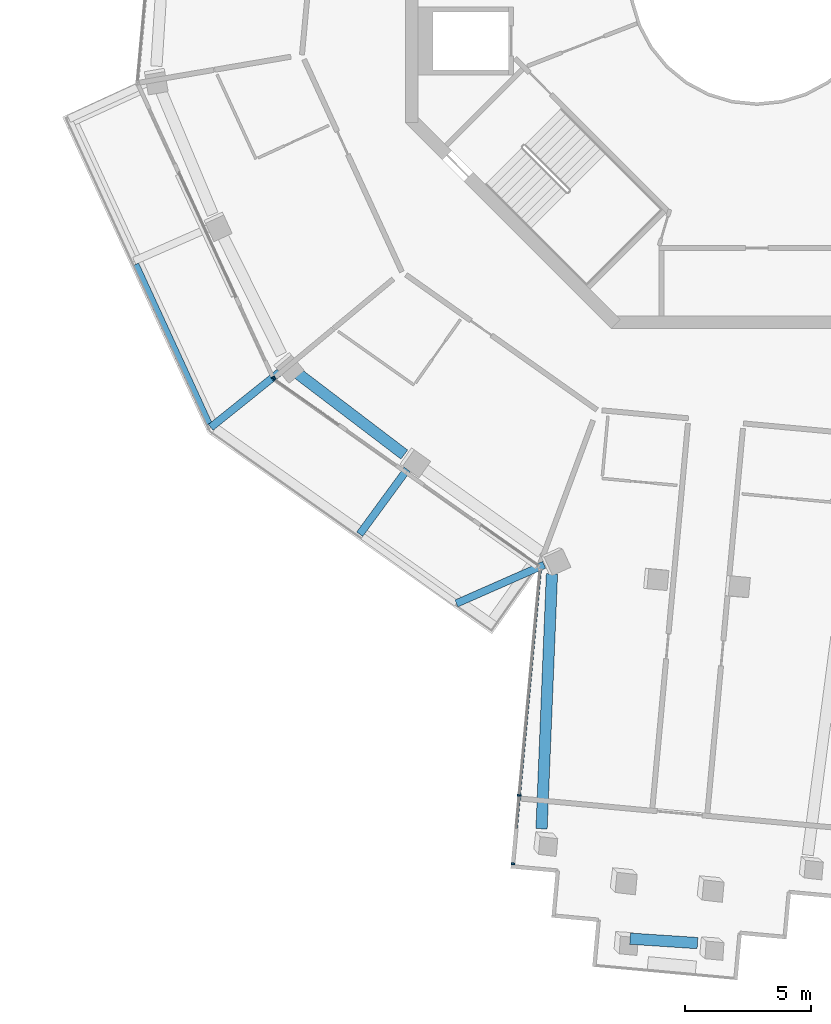
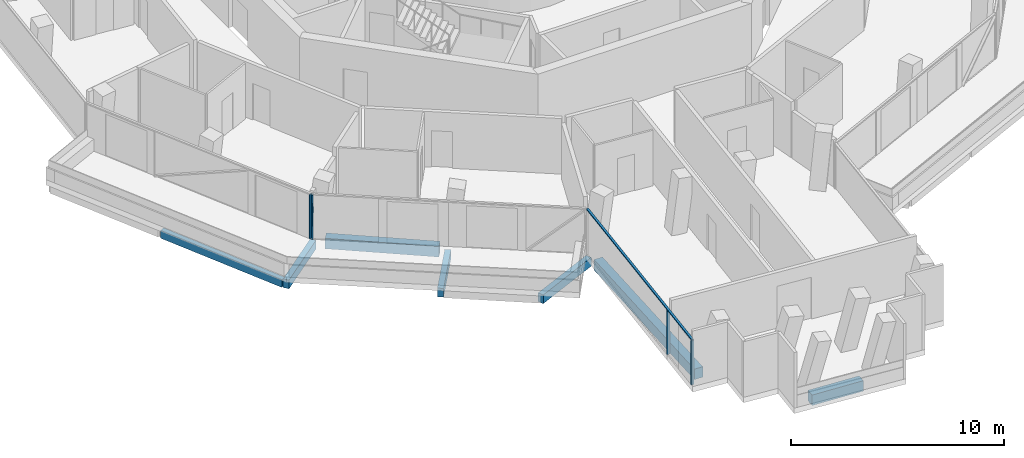
# One storey, part 2 of 23: 7 beams, 5 members, 3 elements without a shape of their own.
"""IFC4 building model written with IfcOpenShell, lengths in metres."""

from ifc_helpers import new_model, si_unit, direction, frame, origin, origin_2d, place, context, subcontext, project, spatial, rectangle, extrude, material, layer, layer_set, material_profile, profile_set, type_object, element, aggregate, save


model = new_model("IFC4")

# Units and contexts
model_context = context("Model", 3, precision=1e-05, world=origin(), true_north=direction((0.0, 1.0)))
body_context = subcontext(model_context, "Body", "Model", "MODEL_VIEW")
ifc_project = project(units=[si_unit("LENGTHUNIT", "METRE"), si_unit("AREAUNIT", "SQUARE_METRE"), si_unit("VOLUMEUNIT", "CUBIC_METRE"), si_unit("PLANEANGLEUNIT", "RADIAN"), si_unit("MASSUNIT", "GRAM", prefix="KILO")], contexts=[model_context])

# Site, building, storey
site_placement = place(None, origin())
site = spatial("IfcSite", under=ifc_project, at=site_placement, CompositionType="ELEMENT")
building_placement = place(site_placement, origin())
building = spatial("IfcBuilding", under=site, at=building_placement, Name="Verdalira Terraces Hotel", CompositionType="ELEMENT")
storey_placement = place(building_placement, frame((0.0, 0.0, 256.0)))
storey = spatial("IfcBuildingStorey", under=building, at=storey_placement, Name="L63", CompositionType="ELEMENT", Elevation=256.0)

# Beams
ifc_material_1 = material(Name="Concrete C40", Category="concrete")
ifc_material_profile_1 = material_profile(ifc_material_1, rectangle(XDim=0.300049, YDim=0.5, at=origin_2d()), Name="RC 300X500")
ifc_profile_set_1 = profile_set([ifc_material_profile_1], Name="Concrete C40")
beam_type_1 = type_object("IfcBeamType", Name="Balcony cantilever beam RC 300X500 C40", PredefinedType="BEAM", material=ifc_profile_set_1)
beam_1_placement = place(storey_placement, frame((-13.929443, -19.615234, -0.560059), z_axis=(-0.591115638, -0.806586823, 0.0), x_axis=(0.806586823, -0.591115638, 0.0)))
element("IfcBeam", 1, at=beam_1_placement, inside=storey, type_object=beam_type_1, Name="Balcony cantilever beam R12-1", PredefinedType="BEAM", context=body_context, shape_type="SweptSolid", body=[
    extrude(rectangle(XDim=0.300049, YDim=0.5, at=origin_2d()), origin(), (0.0, 0.0, 1.0), 3.200928),
])
beam_2_placement = place(storey_placement, frame((-8.47583, -23.416504, -0.560059), z_axis=(-0.915239623, -0.402909957, 0.0), x_axis=(0.402909957, -0.915239623, 0.0)))
element("IfcBeam", 2, at=beam_2_placement, inside=storey, type_object=beam_type_1, Name="Balcony cantilever beam R12-2", PredefinedType="BEAM", context=body_context, shape_type="SweptSolid", body=[
    extrude(rectangle(XDim=0.300049, YDim=0.5, at=origin_2d()), origin(), (0.0, 0.0, 1.0), 3.819824),
])
beam_3_placement = place(storey_placement, frame((-19.014893, -15.742188, -0.560059), z_axis=(-0.779796622, -0.626032929, 0.0), x_axis=(0.626032929, -0.779796622, 0.0)))
element("IfcBeam", 3, at=beam_3_placement, inside=storey, type_object=beam_type_1, Name="Balcony cantilever beam R12-5", PredefinedType="BEAM", context=body_context, shape_type="SweptSolid", body=[
    extrude(rectangle(XDim=0.300049, YDim=0.5, at=origin_2d()), origin(), (0.0, 0.0, 1.0), 3.513672),
])
ifc_material_2 = material(Name="Concrete C40", Category="concrete")
ifc_material_profile_2 = material_profile(ifc_material_2, rectangle(XDim=0.25, YDim=0.449951, at=origin_2d()), Name="RC 250X450")
ifc_profile_set_2 = profile_set([ifc_material_profile_2], Name="Concrete C40")
beam_type_2 = type_object("IfcBeamType", Name="Balcony edge beam RC 250X450 C40", PredefinedType="BEAM", material=ifc_profile_set_2)
beam_4_placement = place(storey_placement, frame((-24.737793, -11.448486, -0.534912), z_axis=(0.417440945, -0.908704054, 0.0), x_axis=(0.908704054, 0.417440945, 0.0)))
element("IfcBeam", 4, at=beam_4_placement, inside=storey, type_object=beam_type_2, Name="Balcony edge beam R12-3", PredefinedType="BEAM", context=body_context, shape_type="SweptSolid", body=[
    extrude(rectangle(XDim=0.25, YDim=0.449951, at=origin_2d()), origin(), (0.0, 0.0, 1.0), 6.991211),
])

# Curtain wall, member
ifc_material_3 = material(Name="Clear glass", Category="glass")
ifc_layer_1 = layer(ifc_material_3, 0.14990234375)
ifc_layer_set_1 = layer_set([ifc_layer_1], Name="CW1 curtain wall")
curtain_wall_type_1 = type_object("IfcCurtainWallType", Name="CW1 curtain wall", PredefinedType="NOTDEFINED", material=ifc_layer_set_1)
curtain_wall_1_placement = place(storey_placement, origin())
curtain_wall_1 = element("IfcCurtainWall", 5, at=curtain_wall_1_placement, inside=storey, type_object=curtain_wall_type_1, Name="CW1 curtain wall L63 edge 12", PredefinedType="NOTDEFINED")
ifc_material_4 = material(Name="Terracotta frame", Category="masonry")
ifc_material_profile_3 = material_profile(ifc_material_4, rectangle(XDim=0.060059, YDim=0.149902, at=origin_2d()), Name="MU 60x150")
ifc_profile_set_3 = profile_set([ifc_material_profile_3], Name="Terracotta frame")
member_type_1 = type_object("IfcMemberType", Name="CW1 mullion 60x150", PredefinedType="MULLION", material=ifc_profile_set_3)
member_1_placement = place(storey_placement, frame((-19.27832, -15.953613, 0.0), z_axis=(0.0, 0.0, 1.0), x_axis=(0.418184178, -0.908362259, 0.0)))
member_1 = element("IfcMember", 6, at=member_1_placement, type_object=member_type_1, Name="CW1 mullion", PredefinedType="MULLION", context=body_context, shape_type="SweptSolid", body=[
    extrude(rectangle(XDim=0.060059, YDim=0.149902, at=origin_2d()), origin(), (0.0, 0.0, 1.0), 2.524902),
])
aggregate(curtain_wall_1, [member_1])

curtain_wall_2_placement = place(storey_placement, origin())
curtain_wall_2 = element("IfcCurtainWall", 7, at=curtain_wall_2_placement, inside=storey, type_object=curtain_wall_type_1, Name="CW1 curtain wall L63 edge 13", PredefinedType="NOTDEFINED")
member_2_placement = place(storey_placement, frame((-19.216553, -16.028076, 0.0), z_axis=(0.0, 0.0, 1.0), x_axis=(0.816339251, -0.577572703, 0.0)))
member_2 = element("IfcMember", 8, at=member_2_placement, type_object=member_type_1, Name="CW1 mullion", PredefinedType="MULLION", context=body_context, shape_type="SweptSolid", body=[
    extrude(rectangle(XDim=0.060059, YDim=0.149902, at=origin_2d()), origin(), (0.0, 0.0, 1.0), 2.524902),
])
aggregate(curtain_wall_2, [member_2])

# Curtain wall, members
ifc_material_5 = material(Name="Clear glass", Category="glass")
ifc_layer_2 = layer(ifc_material_5, 0.14990234375)
ifc_layer_set_2 = layer_set([ifc_layer_2], Name="CW2 curtain wall")
curtain_wall_type_2 = type_object("IfcCurtainWallType", Name="CW2 curtain wall", PredefinedType="NOTDEFINED", material=ifc_layer_set_2)
curtain_wall_3_placement = place(storey_placement, origin())
curtain_wall_3 = element("IfcCurtainWall", 9, at=curtain_wall_3_placement, inside=storey, type_object=curtain_wall_type_2, Name="CW2 curtain wall L63 edge 14", PredefinedType="NOTDEFINED")
ifc_material_6 = material(Name="Terracotta frame", Category="masonry")
ifc_material_profile_4 = material_profile(ifc_material_6, rectangle(XDim=0.070068, YDim=0.149902, at=origin_2d()), Name="MU 70x150")
ifc_profile_set_4 = profile_set([ifc_material_profile_4], Name="Terracotta frame")
member_type_2 = type_object("IfcMemberType", Name="CW2 mullion 70x150", PredefinedType="MULLION", material=ifc_profile_set_4)
member_3_placement = place(storey_placement, frame((-9.465332, -32.601318, 0.0), z_axis=(0.0, 0.0, 1.0), x_axis=(-0.092023008, -0.995756881, 0.0)))
member_3 = element("IfcMember", 10, at=member_3_placement, type_object=member_type_2, Name="CW2 mullion", PredefinedType="MULLION", context=body_context, shape_type="SweptSolid", body=[
    extrude(rectangle(XDim=0.070068, YDim=0.149902, at=origin_2d()), origin(), (0.0, 0.0, 1.0), 2.524902),
])
member_4_placement = place(storey_placement, frame((-9.717041, -35.324707, 0.0), z_axis=(0.0, 0.0, 1.0), x_axis=(-0.092023008, -0.995756881, 0.0)))
member_4 = element("IfcMember", 11, at=member_4_placement, type_object=member_type_2, Name="CW2 mullion", PredefinedType="MULLION", context=body_context, shape_type="SweptSolid", body=[
    extrude(rectangle(XDim=0.070068, YDim=0.149902, at=origin_2d()), origin(), (0.0, 0.0, 1.0), 2.524902),
])
ifc_material_7 = material(Name="Terracotta frame", Category="masonry")
ifc_material_profile_5 = material_profile(ifc_material_7, rectangle(XDim=0.11499, YDim=0.064941, at=origin_2d()), Name="TR 65x115")
ifc_profile_set_5 = profile_set([ifc_material_profile_5], Name="Terracotta frame")
member_type_3 = type_object("IfcMemberType", Name="CW2 transom 65x115", PredefinedType="USERDEFINED", material=ifc_profile_set_5)
member_5_placement = place(storey_placement, frame((-8.630127, -23.564209, 2.557617), z_axis=(-0.092024134, -0.995756777, 0.0), x_axis=(0.995756777, -0.092024134, 0.0)))
member_5 = element("IfcMember", 12, at=member_5_placement, type_object=member_type_3, Name="CW2 transom", ObjectType="TRANSOM", PredefinedType="USERDEFINED", context=body_context, shape_type="SweptSolid", body=[
    extrude(rectangle(XDim=0.11499, YDim=0.064941, at=origin_2d()), origin(), (0.0, 0.0, 1.0), 11.845703),
])
aggregate(curtain_wall_3, [member_3, member_4, member_5])

# Beams
ifc_material_8 = material(Name="Concrete C40", Category="concrete")
ifc_material_profile_6 = material_profile(ifc_material_8, rectangle(XDim=0.449951, YDim=0.600098, at=origin_2d()), Name="RC 450X600")
ifc_profile_set_6 = profile_set([ifc_material_profile_6], Name="Concrete C40")
beam_type_3 = type_object("IfcBeamType", Name="Spandrel beam RC 450X600 C40", PredefinedType="SPANDREL", material=ifc_profile_set_6)
beam_5_placement = place(storey_placement, frame((-18.339111, -15.758301, -0.610107), z_axis=(0.795795045, -0.605566055, 0.0), x_axis=(0.605566055, 0.795795045, 0.0)))
element("IfcBeam", 13, at=beam_5_placement, inside=storey, type_object=beam_type_3, Name="Spandrel beam B06", PredefinedType="SPANDREL", context=body_context, shape_type="SweptSolid", body=[
    extrude(rectangle(XDim=0.449951, YDim=0.600098, at=origin_2d()), origin(), (0.0, 0.0, 1.0), 5.396729),
])
beam_6_placement = place(storey_placement, frame((-8.164795, -23.778076, -0.610107), z_axis=(-0.04073194, -0.99917011, 0.0), x_axis=(0.99917011, -0.04073194, 0.0)))
element("IfcBeam", 14, at=beam_6_placement, inside=storey, type_object=beam_type_3, Name="Spandrel beam B08", PredefinedType="SPANDREL", context=body_context, shape_type="SweptSolid", body=[
    extrude(rectangle(XDim=0.449951, YDim=0.600098, at=origin_2d()), origin(), (0.0, 0.0, 1.0), 10.159668),
])
beam_7_placement = place(storey_placement, frame((-5.053223, -38.30542, -0.610107), z_axis=(0.997829876, -0.0658448, 0.0), x_axis=(0.0658448, 0.997829876, 0.0)))
element("IfcBeam", 15, at=beam_7_placement, inside=storey, type_object=beam_type_3, Name="Spandrel beam B09", PredefinedType="SPANDREL", context=body_context, shape_type="SweptSolid", body=[
    extrude(rectangle(XDim=0.449951, YDim=0.600098, at=origin_2d()), origin(), (0.0, 0.0, 1.0), 2.691895),
])

save(model, "model.ifc")
